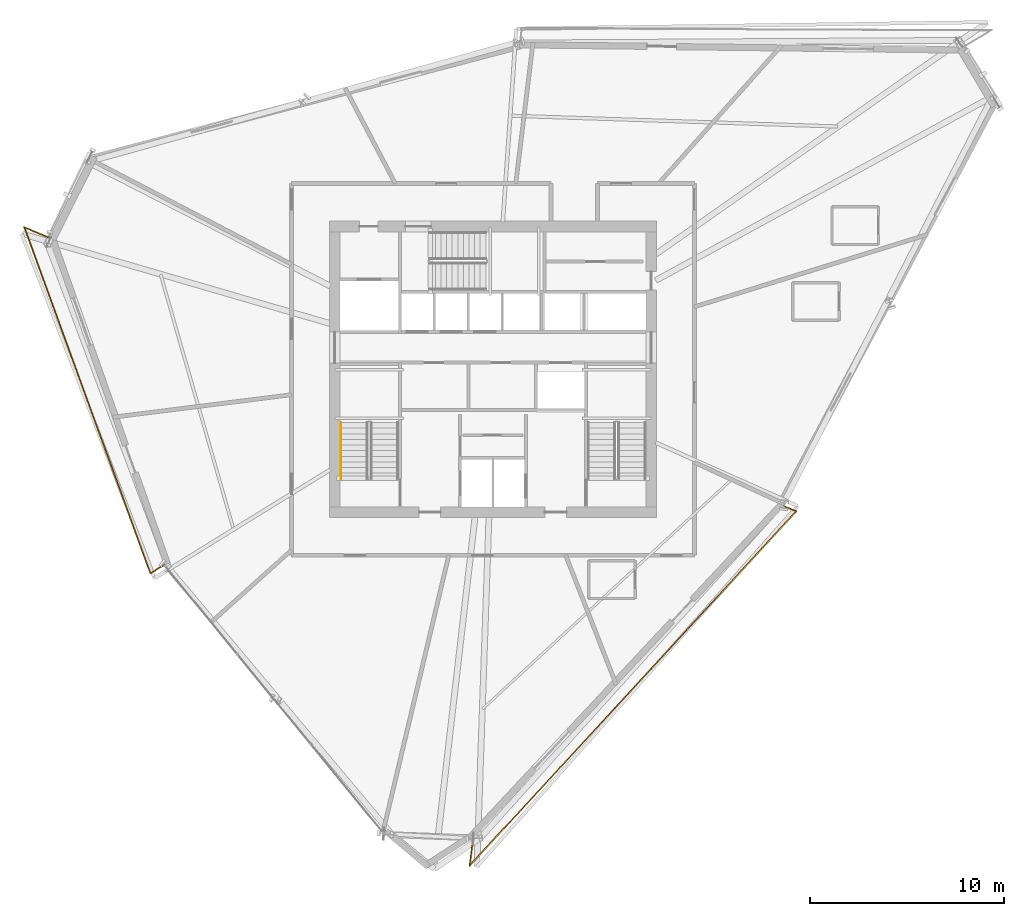
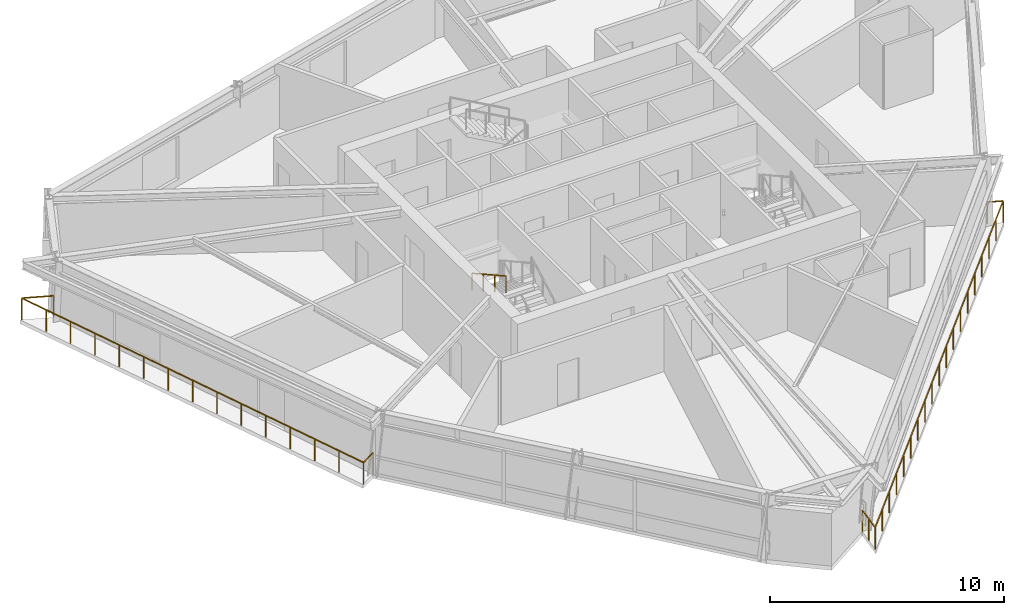
# One storey, part 13 of 15: 3 railings.
"""IFC4 building model written with IfcOpenShell, lengths in metres."""

from ifc_helpers import new_model, si_unit, direction, frame, origin, origin_2d, place, context, subcontext, project, spatial, rectangle, extrude, material, type_object, element, save


model = new_model("IFC4")

# Units and contexts
model_context = context("Model", 3, precision=1e-05, world=origin(), true_north=direction((0.0, 1.0)))
body_context = subcontext(model_context, "Body", "Model", "MODEL_VIEW")
ifc_project = project(units=[si_unit("LENGTHUNIT", "METRE"), si_unit("AREAUNIT", "SQUARE_METRE"), si_unit("VOLUMEUNIT", "CUBIC_METRE"), si_unit("PLANEANGLEUNIT", "RADIAN"), si_unit("MASSUNIT", "GRAM", prefix="KILO")], contexts=[model_context])

# Site, building, storey
site_placement = place(None, origin())
site = spatial("IfcSite", under=ifc_project, at=site_placement, CompositionType="ELEMENT")
building_placement = place(site_placement, origin())
building = spatial("IfcBuilding", under=site, at=building_placement, Name="Olszyna Solenne Hotel", CompositionType="ELEMENT")
storey_placement = place(building_placement, frame((0.0, 0.0, 160.800048828125)))
storey = spatial("IfcBuildingStorey", under=building, at=storey_placement, Name="L42", CompositionType="ELEMENT", Elevation=160.800048828125)

# Railings
ifc_material_1 = material(Name="Anodised bronze aluminium", Category="aluminium")
railing_type_1 = type_object("IfcRailingType", Name="GR-110", PredefinedType="BALUSTRADE", material=ifc_material_1)
railing_1_placement = place(storey_placement, frame((15.066162109375, 33.406982421875, 0.0)))
element("IfcRailing", 1, at=railing_1_placement, inside=storey, type_object=railing_type_1, Name="Loggia balcony balustrade guard GR-L42-LG2", PredefinedType="BALUSTRADE", context=body_context, shape_type="SweptSolid", body=[
    extrude(rectangle(XDim=0.048095703125, YDim=0.048095703125, at=origin_2d()), frame((0.0, 0.0, 1.1259765625), z_axis=(-0.921662027748, 0.387993694032, 0.0), x_axis=(-0.387993694032, -0.921662027748, 0.0)), (0.0, 0.0, 1.0), 1.37939453125),
    extrude(rectangle(XDim=0.048095703125, YDim=0.048095703125, at=origin_2d()), frame((-1.271240234375, 0.53515625, 1.1259765625), z_axis=(0.342341596054, -0.939575559288, 0.0), x_axis=(0.939575559288, 0.342341596054, 0.0)), (0.0, 0.0, 1.0), 19.026123046875),
    extrude(rectangle(XDim=0.048095703125, YDim=0.048095703125, at=origin_2d()), frame((5.2421875, -17.34130859375, 1.1259765625), z_axis=(0.856906645403, 0.515471629737, 0.0), x_axis=(-0.515471629737, 0.856906645403, 0.0)), (0.0, 0.0, 1.0), 0.845947265625),
    extrude(rectangle(XDim=0.0419921875, YDim=0.0419921875, at=origin_2d()), origin(), (0.0, 0.0, 1.0), 1.101806640625),
    extrude(rectangle(XDim=0.0419921875, YDim=0.0419921875, at=origin_2d()), frame((-1.271240234375, 0.53515625, 0.0)), (0.0, 0.0, 1.0), 1.101806640625),
    extrude(rectangle(XDim=0.0419921875, YDim=0.0419921875, at=origin_2d()), frame((-0.805908203125, -0.74169921875, 0.0)), (0.0, 0.0, 1.0), 1.101806640625),
    extrude(rectangle(XDim=0.0419921875, YDim=0.0419921875, at=origin_2d()), frame((-0.3408203125, -2.0185546875, 0.0)), (0.0, 0.0, 1.0), 1.101806640625),
    extrude(rectangle(XDim=0.0419921875, YDim=0.0419921875, at=origin_2d()), frame((0.12451171875, -3.29541015625, 0.0)), (0.0, 0.0, 1.0), 1.101806640625),
    extrude(rectangle(XDim=0.0419921875, YDim=0.0419921875, at=origin_2d()), frame((0.58984375, -4.572509765625, 0.0)), (0.0, 0.0, 1.0), 1.101806640625),
    extrude(rectangle(XDim=0.0419921875, YDim=0.0419921875, at=origin_2d()), frame((1.054931640625, -5.849365234375, 0.0)), (0.0, 0.0, 1.0), 1.101806640625),
    extrude(rectangle(XDim=0.0419921875, YDim=0.0419921875, at=origin_2d()), frame((1.520263671875, -7.126220703125, 0.0)), (0.0, 0.0, 1.0), 1.101806640625),
    extrude(rectangle(XDim=0.0419921875, YDim=0.0419921875, at=origin_2d()), frame((1.9853515625, -8.403076171875, 0.0)), (0.0, 0.0, 1.0), 1.101806640625),
    extrude(rectangle(XDim=0.0419921875, YDim=0.0419921875, at=origin_2d()), frame((2.45068359375, -9.679931640625, 0.0)), (0.0, 0.0, 1.0), 1.101806640625),
    extrude(rectangle(XDim=0.0419921875, YDim=0.0419921875, at=origin_2d()), frame((2.916015625, -10.956787109375, 0.0)), (0.0, 0.0, 1.0), 1.101806640625),
    extrude(rectangle(XDim=0.0419921875, YDim=0.0419921875, at=origin_2d()), frame((3.381103515625, -12.233642578125, 0.0)), (0.0, 0.0, 1.0), 1.101806640625),
    extrude(rectangle(XDim=0.0419921875, YDim=0.0419921875, at=origin_2d()), frame((3.846435546875, -13.5107421875, 0.0)), (0.0, 0.0, 1.0), 1.101806640625),
    extrude(rectangle(XDim=0.0419921875, YDim=0.0419921875, at=origin_2d()), frame((4.311767578125, -14.78759765625, 0.0)), (0.0, 0.0, 1.0), 1.101806640625),
    extrude(rectangle(XDim=0.0419921875, YDim=0.0419921875, at=origin_2d()), frame((4.77685546875, -16.064453125, 0.0)), (0.0, 0.0, 1.0), 1.101806640625),
    extrude(rectangle(XDim=0.0419921875, YDim=0.0419921875, at=origin_2d()), frame((5.2421875, -17.34130859375, 0.0)), (0.0, 0.0, 1.0), 1.101806640625),
    extrude(rectangle(XDim=0.0419921875, YDim=0.0419921875, at=origin_2d()), frame((5.967041015625, -16.9052734375, 0.0)), (0.0, 0.0, 1.0), 1.101806640625),
])
railing_2_placement = place(storey_placement, frame((36.969970703125, 2.372314453125, 0.0)))
element("IfcRailing", 2, at=railing_2_placement, inside=storey, type_object=railing_type_1, Name="Loggia balcony balustrade guard GR-L42-LG3", PredefinedType="BALUSTRADE", context=body_context, shape_type="SweptSolid", body=[
    extrude(rectangle(XDim=0.048095703125, YDim=0.048095703125, at=origin_2d()), frame((0.0, 0.0, 1.1259765625), z_axis=(-0.126152662282, -0.992010839557, 0.0), x_axis=(0.992010839557, -0.126152662282, 0.0)), (0.0, 0.0, 1.0), 1.41845703125),
    extrude(rectangle(XDim=0.048095703125, YDim=0.048095703125, at=origin_2d()), frame((-0.178955078125, -1.4072265625, 1.1259765625), z_axis=(0.677775641956, 0.735268780224, 0.0), x_axis=(-0.735268780224, 0.677775641956, 0.0)), (0.0, 0.0, 1.0), 24.892578125),
    extrude(rectangle(XDim=0.048095703125, YDim=0.048095703125, at=origin_2d()), frame((16.692626953125, 16.8955078125, 1.1259765625), z_axis=(-0.921635375138, 0.388057000058, 0.0), x_axis=(-0.388057000058, -0.921635375138, 0.0)), (0.0, 0.0, 1.0), 0.689453125),
    extrude(rectangle(XDim=0.0419921875, YDim=0.0419921875, at=origin_2d()), origin(), (0.0, 0.0, 1.0), 1.101806640625),
    extrude(rectangle(XDim=0.0419921875, YDim=0.0419921875, at=origin_2d()), frame((-0.08935546875, -0.70361328125, 0.0)), (0.0, 0.0, 1.0), 1.101806640625),
    extrude(rectangle(XDim=0.0419921875, YDim=0.0419921875, at=origin_2d()), frame((-0.178955078125, -1.4072265625, 0.0)), (0.0, 0.0, 1.0), 1.101806640625),
    extrude(rectangle(XDim=0.0419921875, YDim=0.0419921875, at=origin_2d()), frame((0.75830078125, -0.390380859375, 0.0)), (0.0, 0.0, 1.0), 1.101806640625),
    extrude(rectangle(XDim=0.0419921875, YDim=0.0419921875, at=origin_2d()), frame((1.695556640625, 0.62646484375, 0.0)), (0.0, 0.0, 1.0), 1.101806640625),
    extrude(rectangle(XDim=0.0419921875, YDim=0.0419921875, at=origin_2d()), frame((2.633056640625, 1.643310546875, 0.0)), (0.0, 0.0, 1.0), 1.101806640625),
    extrude(rectangle(XDim=0.0419921875, YDim=0.0419921875, at=origin_2d()), frame((3.5703125, 2.66015625, 0.0)), (0.0, 0.0, 1.0), 1.101806640625),
    extrude(rectangle(XDim=0.0419921875, YDim=0.0419921875, at=origin_2d()), frame((4.507568359375, 3.6767578125, 0.0)), (0.0, 0.0, 1.0), 1.101806640625),
    extrude(rectangle(XDim=0.0419921875, YDim=0.0419921875, at=origin_2d()), frame((5.44482421875, 4.693603515625, 0.0)), (0.0, 0.0, 1.0), 1.101806640625),
    extrude(rectangle(XDim=0.0419921875, YDim=0.0419921875, at=origin_2d()), frame((6.38232421875, 5.71044921875, 0.0)), (0.0, 0.0, 1.0), 1.101806640625),
    extrude(rectangle(XDim=0.0419921875, YDim=0.0419921875, at=origin_2d()), frame((7.319580078125, 6.727294921875, 0.0)), (0.0, 0.0, 1.0), 1.101806640625),
    extrude(rectangle(XDim=0.0419921875, YDim=0.0419921875, at=origin_2d()), frame((8.2568359375, 7.744140625, 0.0)), (0.0, 0.0, 1.0), 1.101806640625),
    extrude(rectangle(XDim=0.0419921875, YDim=0.0419921875, at=origin_2d()), frame((9.194091796875, 8.760986328125, 0.0)), (0.0, 0.0, 1.0), 1.101806640625),
    extrude(rectangle(XDim=0.0419921875, YDim=0.0419921875, at=origin_2d()), frame((10.13134765625, 9.77783203125, 0.0)), (0.0, 0.0, 1.0), 1.101806640625),
    extrude(rectangle(XDim=0.0419921875, YDim=0.0419921875, at=origin_2d()), frame((11.06884765625, 10.794677734375, 0.0)), (0.0, 0.0, 1.0), 1.101806640625),
    extrude(rectangle(XDim=0.0419921875, YDim=0.0419921875, at=origin_2d()), frame((12.006103515625, 11.8115234375, 0.0)), (0.0, 0.0, 1.0), 1.101806640625),
    extrude(rectangle(XDim=0.0419921875, YDim=0.0419921875, at=origin_2d()), frame((12.943359375, 12.828125, 0.0)), (0.0, 0.0, 1.0), 1.101806640625),
    extrude(rectangle(XDim=0.0419921875, YDim=0.0419921875, at=origin_2d()), frame((13.880615234375, 13.844970703125, 0.0)), (0.0, 0.0, 1.0), 1.101806640625),
    extrude(rectangle(XDim=0.0419921875, YDim=0.0419921875, at=origin_2d()), frame((14.818115234375, 14.86181640625, 0.0)), (0.0, 0.0, 1.0), 1.101806640625),
    extrude(rectangle(XDim=0.0419921875, YDim=0.0419921875, at=origin_2d()), frame((15.75537109375, 15.878662109375, 0.0)), (0.0, 0.0, 1.0), 1.101806640625),
    extrude(rectangle(XDim=0.0419921875, YDim=0.0419921875, at=origin_2d()), frame((16.692626953125, 16.8955078125, 0.0)), (0.0, 0.0, 1.0), 1.101806640625),
    extrude(rectangle(XDim=0.0419921875, YDim=0.0419921875, at=origin_2d()), frame((16.05712890625, 17.1630859375, 0.0)), (0.0, 0.0, 1.0), 1.101806640625),
])
ifc_material_2 = material(Name="Steel S355J2", Category="steel")
railing_type_2 = type_object("IfcRailingType", Name="HR-090", PredefinedType="HANDRAIL", material=ifc_material_2)
railing_3_placement = place(storey_placement, frame((30.14990234375, 23.85009765625, 1.936279296875)))
element("IfcRailing", 3, at=railing_3_placement, inside=storey, type_object=railing_type_2, Name="L42 ST1 stair handrail 2", PredefinedType="HANDRAIL", context=body_context, shape_type="SweptSolid", body=[
    extrude(rectangle(XDim=0.048095703125, YDim=0.048095703125, at=origin_2d()), frame((0.0, 0.0, 0.8759765625), z_axis=(0.0, -0.873827439584, 0.48623616261), x_axis=(1.0, 0.0, 0.0)), (0.0, 0.0, 1.0), 3.31884765625),
    extrude(rectangle(XDim=0.0419921875, YDim=0.0419921875, at=origin_2d()), origin(), (0.0, 0.0, 1.0), 0.851806640625),
    extrude(rectangle(XDim=0.0419921875, YDim=0.0419921875, at=origin_2d()), frame((0.0, -0.966796875, 0.537841796875)), (0.0, 0.0, 1.0), 0.851806640625),
    extrude(rectangle(XDim=0.0419921875, YDim=0.0419921875, at=origin_2d()), frame((0.0, -1.933349609375, 1.075927734375)), (0.0, 0.0, 1.0), 0.851806640625),
    extrude(rectangle(XDim=0.0419921875, YDim=0.0419921875, at=origin_2d()), frame((0.0, -2.900146484375, 1.61376953125)), (0.0, 0.0, 1.0), 0.851806640625),
])

save(model, "model.ifc")
